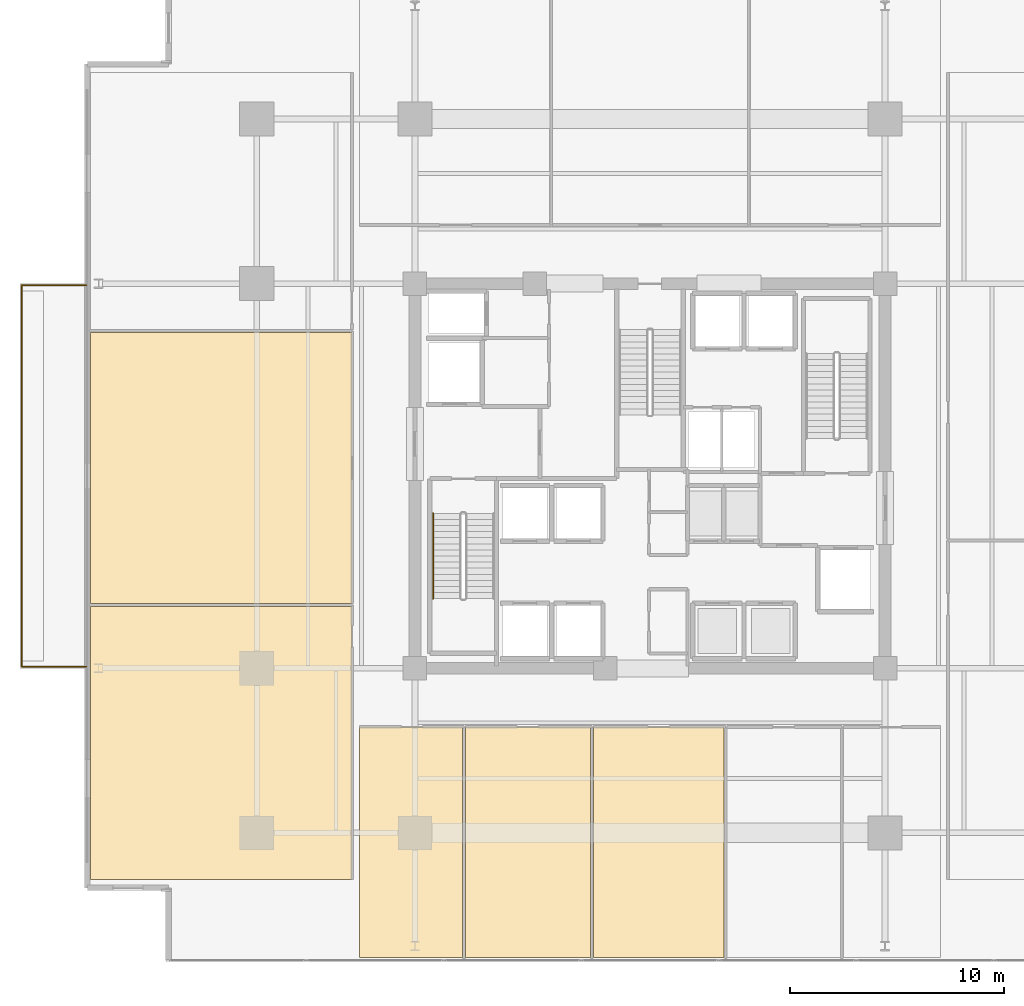
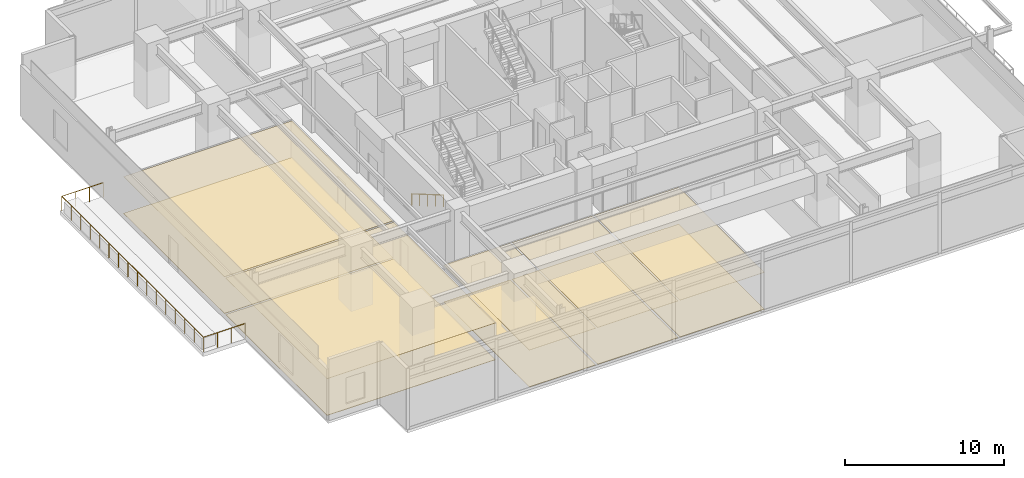
# One storey, part 20 of 24: 10 coverings, 2 railings.
"""IFC4 building model written with IfcOpenShell, lengths in metres."""

from ifc_helpers import new_model, si_unit, direction, frame, origin, origin_2d, place, context, subcontext, project, spatial, polyline, circle, outline, extrude, material, layer, layer_set, type_object, element, save


model = new_model("IFC4")

# Units and contexts
model_context = context("Model", 3, precision=1e-05, world=origin(), true_north=direction((0.0, 1.0)))
body_context = subcontext(model_context, "Body", "Model", "MODEL_VIEW")
ifc_project = project(units=[si_unit("LENGTHUNIT", "METRE"), si_unit("AREAUNIT", "SQUARE_METRE"), si_unit("VOLUMEUNIT", "CUBIC_METRE"), si_unit("PLANEANGLEUNIT", "RADIAN"), si_unit("MASSUNIT", "GRAM", prefix="KILO")], contexts=[model_context])

# Site, building, storey
site_placement = place(None, origin())
site = spatial("IfcSite", under=ifc_project, at=site_placement, CompositionType="ELEMENT")
building_placement = place(site_placement, origin())
building = spatial("IfcBuilding", under=site, at=building_placement, Name="Kovane Verandah Tower", CompositionType="ELEMENT")
storey_placement = place(building_placement, frame((0.0, 0.0, 118.39990234375)))
storey = spatial("IfcBuildingStorey", under=building, at=storey_placement, Name="L27", CompositionType="ELEMENT", Elevation=118.39990234375)

# Coverings
ifc_material_1 = material(Name="Perforated Acoustic Mineral-Fibre Ceiling Tile", Category="gypsum")
ifc_layer_1 = layer(ifc_material_1, 0.02490234375)
ifc_layer_set_1 = layer_set([ifc_layer_1], Name="Perforated Acoustic Mineral-Fibre Ceiling Tile")
covering_type_1 = type_object("IfcCoveringType", Name="CV-CEIL-25", PredefinedType="CEILING", material=ifc_layer_set_1)
covering_1_placement = place(storey_placement, frame((0.0, 0.0, 2.8251953125)))
element("IfcCovering", 1, at=covering_1_placement, inside=storey, type_object=covering_type_1, Name="L27 Meeting Room S1 Acoustic Ceiling", PredefinedType="CEILING", context=body_context, shape_type="SweptSolid", body=[
    extrude(outline(polyline([(26.39990234375, 4.97900390625), (31.22607421875, 4.97900390625), (31.22607421875, 15.75), (26.39990234375, 15.75), (26.39990234375, 4.97900390625)])), origin(), (0.0, 0.0, 1.0), 0.02490234375),
])
covering_2_placement = place(storey_placement, frame((0.0, 0.0, 2.8251953125)))
element("IfcCovering", 2, at=covering_2_placement, inside=storey, type_object=covering_type_1, Name="L27 Focus Studio S2 Acoustic Ceiling", PredefinedType="CEILING", context=body_context, shape_type="SweptSolid", body=[
    extrude(outline(polyline([(31.365966796875, 4.97900390625), (37.2099609375, 4.97900390625), (37.2099609375, 15.75), (31.365966796875, 15.75), (31.365966796875, 4.97900390625)])), origin(), (0.0, 0.0, 1.0), 0.02490234375),
])
covering_3_placement = place(storey_placement, frame((0.0, 0.0, 2.8251953125)))
element("IfcCovering", 3, at=covering_3_placement, inside=storey, type_object=covering_type_1, Name="L27 Breakout Pantry S3 Acoustic Ceiling", PredefinedType="CEILING", context=body_context, shape_type="SweptSolid", body=[
    extrude(outline(polyline([(37.35009765625, 4.97900390625), (43.466064453125, 4.97900390625), (43.466064453125, 15.75), (37.35009765625, 15.75), (37.35009765625, 4.97900390625)])), origin(), (0.0, 0.0, 1.0), 0.02490234375),
])
covering_4_placement = place(storey_placement, frame((0.0, 0.0, 2.8251953125)))
element("IfcCovering", 4, at=covering_4_placement, inside=storey, type_object=covering_type_1, Name="L27 Open Plan Office W1 Acoustic Ceiling", PredefinedType="CEILING", context=body_context, shape_type="SweptSolid", body=[
    extrude(outline(polyline([(13.820068359375, 8.629150390625), (26.050048828125, 8.629150390625), (26.050048828125, 21.391357421875), (13.820068359375, 21.391357421875), (13.820068359375, 8.629150390625)])), origin(), (0.0, 0.0, 1.0), 0.02490234375),
])
covering_5_placement = place(storey_placement, frame((0.0, 0.0, 2.8251953125)))
element("IfcCovering", 5, at=covering_5_placement, inside=storey, type_object=covering_type_1, Name="L27 Executive Office W2 Acoustic Ceiling", PredefinedType="CEILING", context=body_context, shape_type="SweptSolid", body=[
    extrude(outline(polyline([(13.820068359375, 21.53125), (26.050048828125, 21.53125), (26.050048828125, 34.223388671875), (13.820068359375, 34.223388671875), (13.820068359375, 21.53125)])), origin(), (0.0, 0.0, 1.0), 0.02490234375),
])
ifc_material_2 = material(Name="Polished Terrazzo and Raised-Access Carpet Tile Finish", Category="concrete")
ifc_layer_2 = layer(ifc_material_2, 0.030029296875)
ifc_layer_set_2 = layer_set([ifc_layer_2], Name="Polished Terrazzo and Raised-Access Carpet Tile Finish")
covering_type_2 = type_object("IfcCoveringType", Name="CV-FLOR-30", PredefinedType="FLOORING", material=ifc_layer_set_2)
covering_6_placement = place(storey_placement, origin())
element("IfcCovering", 6, at=covering_6_placement, inside=storey, type_object=covering_type_2, Name="L27 Meeting Room S1 Floor Finish", PredefinedType="FLOORING", context=body_context, shape_type="SweptSolid", body=[
    extrude(outline(polyline([(26.39990234375, 4.97900390625), (31.22607421875, 4.97900390625), (31.22607421875, 15.75), (26.39990234375, 15.75), (26.39990234375, 4.97900390625)])), origin(), (0.0, 0.0, 1.0), 0.030029296875),
])
covering_7_placement = place(storey_placement, origin())
element("IfcCovering", 7, at=covering_7_placement, inside=storey, type_object=covering_type_2, Name="L27 Focus Studio S2 Floor Finish", PredefinedType="FLOORING", context=body_context, shape_type="SweptSolid", body=[
    extrude(outline(polyline([(31.365966796875, 4.97900390625), (37.2099609375, 4.97900390625), (37.2099609375, 15.75), (31.365966796875, 15.75), (31.365966796875, 4.97900390625)])), origin(), (0.0, 0.0, 1.0), 0.030029296875),
])
covering_8_placement = place(storey_placement, origin())
element("IfcCovering", 8, at=covering_8_placement, inside=storey, type_object=covering_type_2, Name="L27 Breakout Pantry S3 Floor Finish", PredefinedType="FLOORING", context=body_context, shape_type="SweptSolid", body=[
    extrude(outline(polyline([(37.35009765625, 4.97900390625), (43.466064453125, 4.97900390625), (43.466064453125, 15.75), (37.35009765625, 15.75), (37.35009765625, 4.97900390625)])), origin(), (0.0, 0.0, 1.0), 0.030029296875),
])
covering_9_placement = place(storey_placement, origin())
element("IfcCovering", 9, at=covering_9_placement, inside=storey, type_object=covering_type_2, Name="L27 Open Plan Office W1 Floor Finish", PredefinedType="FLOORING", context=body_context, shape_type="SweptSolid", body=[
    extrude(outline(polyline([(13.820068359375, 8.629150390625), (26.050048828125, 8.629150390625), (26.050048828125, 21.391357421875), (13.820068359375, 21.391357421875), (13.820068359375, 8.629150390625)])), origin(), (0.0, 0.0, 1.0), 0.030029296875),
])
covering_10_placement = place(storey_placement, origin())
element("IfcCovering", 10, at=covering_10_placement, inside=storey, type_object=covering_type_2, Name="L27 Executive Office W2 Floor Finish", PredefinedType="FLOORING", context=body_context, shape_type="SweptSolid", body=[
    extrude(outline(polyline([(13.820068359375, 21.53125), (26.050048828125, 21.53125), (26.050048828125, 34.223388671875), (13.820068359375, 34.223388671875), (13.820068359375, 21.53125)])), origin(), (0.0, 0.0, 1.0), 0.030029296875),
])

# Railings
ifc_material_3 = material(Name="Laminated Glass and Pale-Champagne Stainless Balustrade", Category="glass")
railing_type_1 = type_object("IfcRailingType", Name="RL-BAL-1150", PredefinedType="BALUSTRADE", material=ifc_material_3)
railing_1_placement = place(storey_placement, frame((13.6201171875, 18.580078125, 0.0)))
element("IfcRailing", 11, at=railing_1_placement, inside=storey, type_object=railing_type_1, Name="L27 W Verandah Glass Balustrade", PredefinedType="BALUSTRADE", context=body_context, shape_type="SweptSolid", body=[
    extrude(circle(Radius=0.02392578125, at=origin_2d()), frame((0.0, 0.0, 1.1259765625), z_axis=(-1.0, 0.0, 0.0), x_axis=(0.0, -1.0, 0.0)), (0.0, 0.0, 1.0), 3.02001953125),
    extrude(circle(Radius=0.02392578125, at=origin_2d()), frame((-3.02001953125, 0.0, 1.1259765625), z_axis=(0.0, 1.0, 0.0), x_axis=(-1.0, 0.0, 0.0)), (0.0, 0.0, 1.0), 17.83984375),
    extrude(circle(Radius=0.02392578125, at=origin_2d()), frame((-3.02001953125, 17.83984375, 1.1259765625), z_axis=(1.0, 0.0, 0.0), x_axis=(0.0, 1.0, 0.0)), (0.0, 0.0, 1.0), 3.02001953125),
    extrude(circle(Radius=0.02099609375, at=origin_2d()), origin(), (0.0, 0.0, 1.0), 1.101806640625),
    extrude(circle(Radius=0.02099609375, at=origin_2d()), frame((-1.006591796875, 0.0, 0.0)), (0.0, 0.0, 1.0), 1.101806640625),
    extrude(circle(Radius=0.02099609375, at=origin_2d()), frame((-2.013427734375, 0.0, 0.0)), (0.0, 0.0, 1.0), 1.101806640625),
    extrude(circle(Radius=0.02099609375, at=origin_2d()), frame((-3.02001953125, 0.0, 0.0)), (0.0, 0.0, 1.0), 1.101806640625),
    extrude(circle(Radius=0.02099609375, at=origin_2d()), frame((-3.02001953125, 1.189208984375, 0.0)), (0.0, 0.0, 1.0), 1.101806640625),
    extrude(circle(Radius=0.02099609375, at=origin_2d()), frame((-3.02001953125, 2.378662109375, 0.0)), (0.0, 0.0, 1.0), 1.101806640625),
    extrude(circle(Radius=0.02099609375, at=origin_2d()), frame((-3.02001953125, 3.56787109375, 0.0)), (0.0, 0.0, 1.0), 1.101806640625),
    extrude(circle(Radius=0.02099609375, at=origin_2d()), frame((-3.02001953125, 4.75732421875, 0.0)), (0.0, 0.0, 1.0), 1.101806640625),
    extrude(circle(Radius=0.02099609375, at=origin_2d()), frame((-3.02001953125, 5.946533203125, 0.0)), (0.0, 0.0, 1.0), 1.101806640625),
    extrude(circle(Radius=0.02099609375, at=origin_2d()), frame((-3.02001953125, 7.135986328125, 0.0)), (0.0, 0.0, 1.0), 1.101806640625),
    extrude(circle(Radius=0.02099609375, at=origin_2d()), frame((-3.02001953125, 8.3251953125, 0.0)), (0.0, 0.0, 1.0), 1.101806640625),
    extrude(circle(Radius=0.02099609375, at=origin_2d()), frame((-3.02001953125, 9.5146484375, 0.0)), (0.0, 0.0, 1.0), 1.101806640625),
    extrude(circle(Radius=0.02099609375, at=origin_2d()), frame((-3.02001953125, 10.703857421875, 0.0)), (0.0, 0.0, 1.0), 1.101806640625),
    extrude(circle(Radius=0.02099609375, at=origin_2d()), frame((-3.02001953125, 11.893310546875, 0.0)), (0.0, 0.0, 1.0), 1.101806640625),
    extrude(circle(Radius=0.02099609375, at=origin_2d()), frame((-3.02001953125, 13.08251953125, 0.0)), (0.0, 0.0, 1.0), 1.101806640625),
    extrude(circle(Radius=0.02099609375, at=origin_2d()), frame((-3.02001953125, 14.27197265625, 0.0)), (0.0, 0.0, 1.0), 1.101806640625),
    extrude(circle(Radius=0.02099609375, at=origin_2d()), frame((-3.02001953125, 15.461181640625, 0.0)), (0.0, 0.0, 1.0), 1.101806640625),
    extrude(circle(Radius=0.02099609375, at=origin_2d()), frame((-3.02001953125, 16.650634765625, 0.0)), (0.0, 0.0, 1.0), 1.101806640625),
    extrude(circle(Radius=0.02099609375, at=origin_2d()), frame((-3.02001953125, 17.83984375, 0.0)), (0.0, 0.0, 1.0), 1.101806640625),
    extrude(circle(Radius=0.02099609375, at=origin_2d()), frame((-2.013427734375, 17.83984375, 0.0)), (0.0, 0.0, 1.0), 1.101806640625),
    extrude(circle(Radius=0.02099609375, at=origin_2d()), frame((-1.006591796875, 17.83984375, 0.0)), (0.0, 0.0, 1.0), 1.101806640625),
    extrude(circle(Radius=0.02099609375, at=origin_2d()), frame((0.0, 17.83984375, 0.0)), (0.0, 0.0, 1.0), 1.101806640625),
])
ifc_material_4 = material(Name="Brushed Stainless Steel Handrail", Category="steel")
railing_type_2 = type_object("IfcRailingType", Name="RL-HAND-920", PredefinedType="HANDRAIL", material=ifc_material_4)
railing_2_placement = place(storey_placement, frame((29.85009765625, 25.75, 0.166748046875)))
element("IfcRailing", 12, at=railing_2_placement, inside=storey, type_object=railing_type_2, Name="L27 ST-01 stair handrail 1", PredefinedType="HANDRAIL", context=body_context, shape_type="SweptSolid", body=[
    extrude(circle(Radius=0.02392578125, at=origin_2d()), frame((0.0, 0.0, 0.8759765625), z_axis=(0.0, -0.863236243904, 0.504800145811), x_axis=(1.0, 0.0, 0.0)), (0.0, 0.0, 1.0), 4.6220703125),
    extrude(circle(Radius=0.02099609375, at=origin_2d()), origin(), (0.0, 0.0, 1.0), 0.851806640625),
    extrude(circle(Radius=0.02099609375, at=origin_2d()), frame((0.0, -0.99755859375, 0.583251953125)), (0.0, 0.0, 1.0), 0.851806640625),
    extrude(circle(Radius=0.02099609375, at=origin_2d()), frame((0.0, -1.9951171875, 1.16650390625)), (0.0, 0.0, 1.0), 0.851806640625),
    extrude(circle(Radius=0.02099609375, at=origin_2d()), frame((0.0, -2.992431640625, 1.75)), (0.0, 0.0, 1.0), 0.851806640625),
    extrude(circle(Radius=0.02099609375, at=origin_2d()), frame((0.0, -3.989990234375, 2.333251953125)), (0.0, 0.0, 1.0), 0.851806640625),
])

save(model, "model.ifc")
